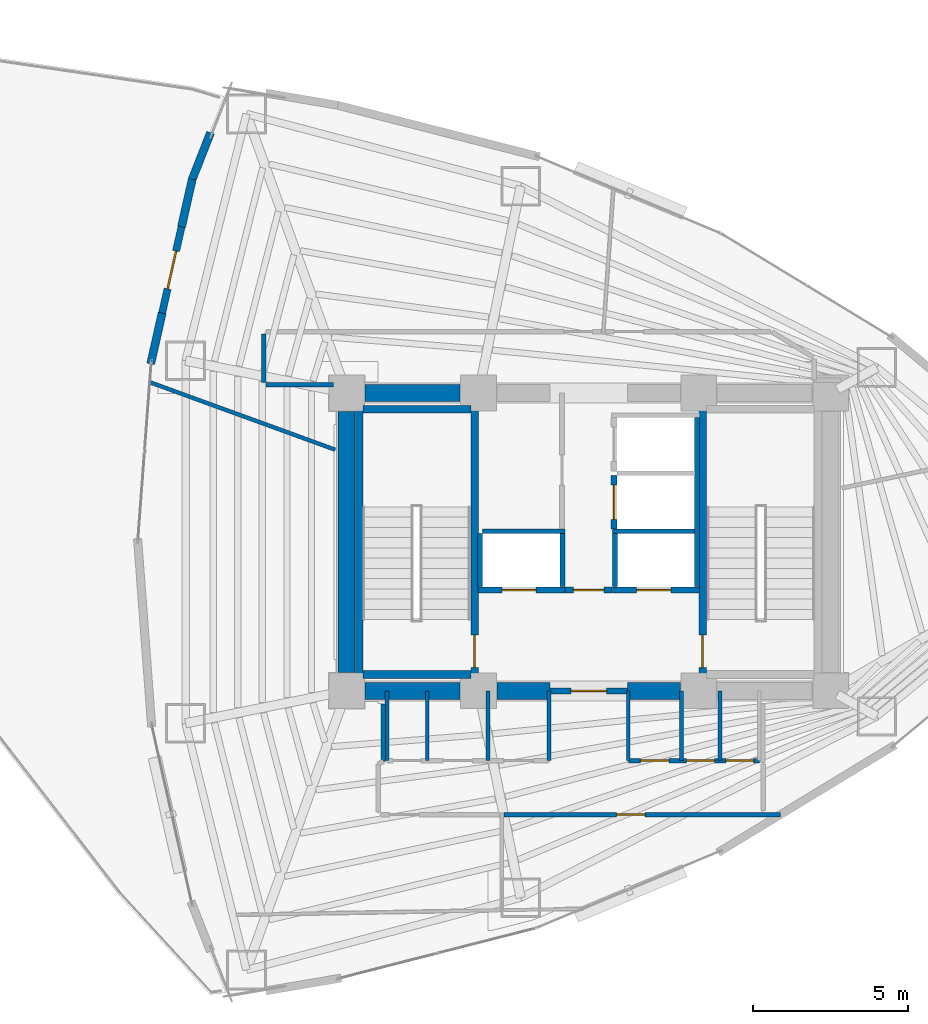
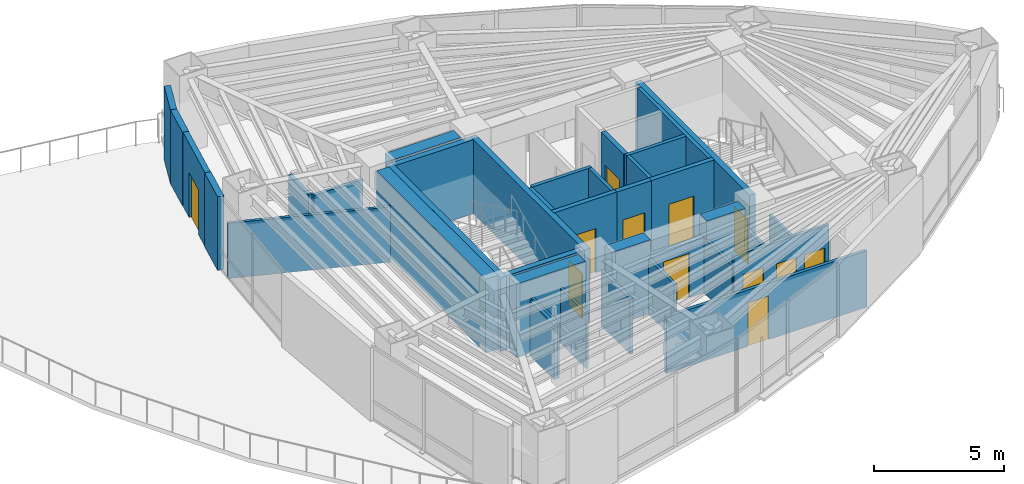
# One storey, part 15 of 19: 38 walls, 12 doors, 12 openings.
"""IFC4 building model written with IfcOpenShell, lengths in metres."""

from ifc_helpers import new_model, si_unit, direction, frame, frame_2d, origin, place, context, subcontext, project, spatial, rectangle, extrude, material, layer, layer_set, type_object, element, fill, save


model = new_model("IFC4")

# Units and contexts
model_context = context("Model", 3, precision=1e-05, world=origin(), true_north=direction((0.0, 1.0)))
body_context = subcontext(model_context, "Body", "Model", "MODEL_VIEW")
ifc_project = project(units=[si_unit("LENGTHUNIT", "METRE"), si_unit("AREAUNIT", "SQUARE_METRE"), si_unit("VOLUMEUNIT", "CUBIC_METRE"), si_unit("PLANEANGLEUNIT", "RADIAN"), si_unit("MASSUNIT", "GRAM", prefix="KILO")], contexts=[model_context])

# Site, building, storey
site_placement = place(None, origin())
site = spatial("IfcSite", under=ifc_project, at=site_placement, CompositionType="ELEMENT")
building_placement = place(site_placement, origin())
building = spatial("IfcBuilding", under=site, at=building_placement, Name="Menara Vayukalpa", CompositionType="ELEMENT")
storey_placement = place(building_placement, frame((0.0, 0.0, 118.860107421875)))
storey = spatial("IfcBuildingStorey", under=building, at=storey_placement, Name="L29", CompositionType="ELEMENT", Elevation=118.860107421875)

# Walls
ifc_material_1 = material(Name="Concrete C60/75", Category="concrete")
ifc_layer_1 = layer(ifc_material_1, 0.550048828125)
ifc_layer_set_1 = layer_set([ifc_layer_1], Name="Concrete C60/75")
wall_type_1 = type_object("IfcWallType", Name="WAL-CW550", PredefinedType="SHEAR", material=ifc_layer_set_1)
wall_1_placement = place(storey_placement, frame((18.39501953125, 17.199951171875, 0.0), z_axis=(0.0, 0.0, 1.0), x_axis=(1.0, 0.0, 0.0)))
element("IfcWall", 1, at=wall_1_placement, inside=storey, type_object=wall_type_1, Name="L29 Buttressed Core Shear Wall CWS1", PredefinedType="SHEAR", context=body_context, shape_type="SweptSolid", body=[
    extrude(rectangle(XDim=3.06005859375, YDim=0.550048828125, at=frame_2d((1.530029296875, 0.0))), origin(), (0.0, 0.0, 1.0), 3.469970703125),
])
wall_2_placement = place(storey_placement, frame((22.64501953125, 17.199951171875, 0.0), z_axis=(0.0, 0.0, 1.0), x_axis=(1.0, 0.0, 0.0)))
element("IfcWall", 2, at=wall_2_placement, inside=storey, type_object=wall_type_1, Name="L29 Buttressed Core Shear Wall CWS2", PredefinedType="SHEAR", context=body_context, shape_type="SweptSolid", body=[
    extrude(rectangle(XDim=1.705078125, YDim=0.550048828125, at=frame_2d((0.8525390625, 0.0))), origin(), (0.0, 0.0, 1.0), 3.469970703125),
])
wall_3_placement = place(storey_placement, frame((26.85009765625, 17.199951171875, 0.0), z_axis=(0.0, 0.0, 1.0), x_axis=(1.0, 0.0, 0.0)))
element("IfcWall", 3, at=wall_3_placement, inside=storey, type_object=wall_type_1, Name="L29 Buttressed Core Shear Wall CWS3", PredefinedType="SHEAR", context=body_context, shape_type="SweptSolid", body=[
    extrude(rectangle(XDim=1.704833984375, YDim=0.550048828125, at=frame_2d((0.8525390625, 0.0))), origin(), (0.0, 0.0, 1.0), 3.469970703125),
])
wall_4_placement = place(storey_placement, frame((18.39501953125, 26.800048828125, 0.0), z_axis=(0.0, 0.0, 1.0), x_axis=(1.0, 0.0, 0.0)))
element("IfcWall", 4, at=wall_4_placement, inside=storey, type_object=wall_type_1, Name="L29 Buttressed Core Shear Wall CWN1", PredefinedType="SHEAR", context=body_context, shape_type="SweptSolid", body=[
    extrude(rectangle(XDim=3.06005859375, YDim=0.550048828125, at=frame_2d((1.530029296875, 0.0))), origin(), (0.0, 0.0, 1.0), 3.469970703125),
])
wall_5_placement = place(storey_placement, frame((17.800048828125, 17.794921875, 0.0), z_axis=(0.0, 0.0, 1.0), x_axis=(0.0, 1.0, 0.0)))
element("IfcWall", 5, at=wall_5_placement, inside=storey, type_object=wall_type_1, Name="L29 Buttressed Core Shear Wall CWW1", PredefinedType="SHEAR", context=body_context, shape_type="SweptSolid", body=[
    extrude(rectangle(XDim=8.41015625, YDim=0.550048828125, at=frame_2d((4.205078125, 0.0))), origin(), (0.0, 0.0, 1.0), 3.469970703125),
])

# Wall, opening, door
ifc_material_2 = material(Name="Insulated Precast Concrete C40/50", Category="concrete")
ifc_layer_2 = layer(ifc_material_2, 0.22998046875)
ifc_layer_set_2 = layer_set([ifc_layer_2], Name="Insulated Precast Concrete C40/50")
wall_type_2 = type_object("IfcWallType", Name="WAL-EXT230", PredefinedType="PARTITIONING", material=ifc_layer_set_2)
wall_6_placement = place(storey_placement, frame((11.84912109375, 29.36767578125, 0.0), z_axis=(0.0, 0.0, 1.0), x_axis=(0.219504103435, 0.975611576692, 0.0)))
wall_6 = element("IfcWall", 6, at=wall_6_placement, inside=storey, type_object=wall_type_2, Name="L29 Sky Terrace Access Wall", PredefinedType="PARTITIONING", context=body_context, shape_type="SweptSolid", body=[
    extrude(rectangle(XDim=2.871826171875, YDim=0.22998046875, at=frame_2d((1.43603515625, 0.0))), origin(), (0.0, 0.0, 1.0), 3.469970703125),
])
opening_1_placement = place(wall_6_placement, frame((0.81103515625, 0.0, 0.0)))
opening_1 = element("IfcOpeningElement", 7, at=opening_1_placement, cuts=wall_6, Name="Opening ED3", PredefinedType="OPENING", context=body_context, shape_type="SweptSolid", body=[
    extrude(rectangle(XDim=1.25, YDim=2.10009765625, at=frame_2d((0.625, 1.050048828125))), frame((0.0, 0.125, 0.0), z_axis=(0.0, -1.0, 0.0), x_axis=(1.0, 0.0, 0.0)), (0.0, 0.0, 1.0), 0.25),
])
ifc_material_3 = material(Name="Thermally Broken Aluminium Terrace Door", Category="aluminium")
door_type_1 = type_object("IfcDoorType", Name="DR-EX125", OperationType="NOTDEFINED", PredefinedType="DOOR", material=ifc_material_3)
door_1_placement = place(opening_1_placement, origin())
door_1 = element("IfcDoor", 8, at=door_1_placement, inside=storey, type_object=door_type_1, Name="L29 Outdoor Sky Terrace Access Door", OperationType="SINGLE_SWING_RIGHT", OverallHeight=2.10009765625, OverallWidth=1.25, PredefinedType="DOOR", context=body_context, shape_type="SweptSolid", body=[
    extrude(rectangle(XDim=1.25, YDim=2.10009765625, at=frame_2d((0.625, 1.050048828125))), frame((0.0, 0.02490234375, 0.0), z_axis=(0.0, -1.0, 0.0), x_axis=(1.0, 0.0, 0.0)), (0.0, 0.0, 1.0), 0.050048828125),
])
fill(opening_1, door_1)

# Walls
ifc_material_4 = material(Name="Insulated Precast Concrete C40/50", Category="concrete")
ifc_layer_3 = layer(ifc_material_4, 0.260009765625)
ifc_layer_set_3 = layer_set([ifc_layer_3], Name="Insulated Precast Concrete C40/50")
wall_type_3 = type_object("IfcWallType", Name="WAL-EXT260", PredefinedType="PARTITIONING", material=ifc_layer_set_3)
wall_7_placement = place(storey_placement, frame((12.822021484375, 33.69140625, 0.0), z_axis=(0.0, 0.0, 1.0), x_axis=(0.365488551504, 0.930815835018, 0.0)))
element("IfcWall", 9, at=wall_7_placement, inside=storey, type_object=wall_type_3, Name="L29 Perimeter Terracotta Pier Wall 08", PredefinedType="PARTITIONING", context=body_context, shape_type="SweptSolid", body=[
    extrude(rectangle(XDim=1.61376953125, YDim=0.260009765625, at=frame_2d((0.806884765625, 0.0))), origin(), (0.0, 0.0, 1.0), 3.469970703125),
])
wall_8_placement = place(storey_placement, frame((12.476806640625, 32.15771484375, 0.0), z_axis=(0.0, 0.0, 1.0), x_axis=(0.219593493325, 0.975591460443, 0.0)))
element("IfcWall", 10, at=wall_8_placement, inside=storey, type_object=wall_type_3, Name="L29 Perimeter Terracotta Pier Wall 09", PredefinedType="PARTITIONING", context=body_context, shape_type="SweptSolid", body=[
    extrude(rectangle(XDim=1.572021484375, YDim=0.260009765625, at=frame_2d((0.7861328125, 0.0))), origin(), (0.0, 0.0, 1.0), 3.469970703125),
])
wall_9_placement = place(storey_placement, frame((11.482421875, 27.73828125, 0.0), z_axis=(0.0, 0.0, 1.0), x_axis=(0.219588171952, 0.975592658203, 0.0)))
element("IfcWall", 11, at=wall_9_placement, inside=storey, type_object=wall_type_3, Name="L29 Perimeter Terracotta Pier Wall 10", PredefinedType="PARTITIONING", context=body_context, shape_type="SweptSolid", body=[
    extrude(rectangle(XDim=1.68212890625, YDim=0.260009765625, at=frame_2d((0.841064453125, 0.0))), origin(), (0.0, 0.0, 1.0), 3.469970703125),
])
ifc_material_5 = material(Name="Lightweight Concrete Blockwork C16/20", Category="masonry")
ifc_layer_4 = layer(ifc_material_5, 0.159912109375)
ifc_layer_set_4 = layer_set([ifc_layer_4], Name="Lightweight Concrete Blockwork C16/20")
wall_type_4 = type_object("IfcWallType", Name="WAL-FR150", PredefinedType="PARTITIONING", material=ifc_layer_set_4)
for number, where, z_axis, x_axis, name in (
    (12, (22.10498046875, 20.56005859375, 0.0), (0.0, 0.0, 1.0), (0.0, 1.0, 0.0), "L29 Interior Partition IW-L29-SHW-WW"),
    (13, (24.7548828125, 20.56005859375, 0.0), (0.0, 0.0, 1.0), (0.0, 1.0, 0.0), "L29 Interior Partition IW-L29-SHW-W1E"),
):
    element("IfcWall", number, at=place(storey_placement, frame(where, z_axis=z_axis, x_axis=x_axis)), inside=storey, type_object=wall_type_4, Name=name, PredefinedType="PARTITIONING", context=body_context, shape_type="SweptSolid", body=[
        extrude(rectangle(XDim=1.7099609375, YDim=0.159912109375, at=frame_2d((0.85498046875, 0.0))), origin(), (0.0, 0.0, 1.0), 3.469970703125),
    ])
wall_10_placement = place(storey_placement, frame((22.179931640625, 22.344970703125, 0.0), z_axis=(0.0, 0.0, 1.0), x_axis=(1.0, 0.0, 0.0)))
element("IfcWall", 14, at=wall_10_placement, inside=storey, type_object=wall_type_4, Name="L29 Interior Partition IW-L29-SHM-W12", PredefinedType="PARTITIONING", context=body_context, shape_type="SweptSolid", body=[
    extrude(rectangle(XDim=2.650146484375, YDim=0.159912109375, at=frame_2d((1.3251953125, 0.0))), origin(), (0.0, 0.0, 1.0), 3.469970703125),
])
wall_11_placement = place(storey_placement, frame((29.094970703125, 20.56005859375, 0.0), z_axis=(0.0, 0.0, 1.0), x_axis=(0.0, 1.0, 0.0)))
element("IfcWall", 15, at=wall_11_placement, inside=storey, type_object=wall_type_4, Name="L29 Interior Partition IW-L29-SHW-EE", PredefinedType="PARTITIONING", context=body_context, shape_type="SweptSolid", body=[
    extrude(rectangle(XDim=5.449951171875, YDim=0.159912109375, at=frame_2d((2.72509765625, 0.0))), origin(), (0.0, 0.0, 1.0), 3.469970703125),
])
wall_12_placement = place(storey_placement, frame((26.445068359375, 20.56005859375, 0.0), z_axis=(0.0, 0.0, 1.0), x_axis=(0.0, 1.0, 0.0)))
element("IfcWall", 16, at=wall_12_placement, inside=storey, type_object=wall_type_4, Name="L29 Interior Partition IW-L29-SHW-E1W", PredefinedType="PARTITIONING", context=body_context, shape_type="SweptSolid", body=[
    extrude(rectangle(XDim=1.7099609375, YDim=0.159912109375, at=frame_2d((0.85498046875, 0.0))), origin(), (0.0, 0.0, 1.0), 3.469970703125),
])
wall_13_placement = place(storey_placement, frame((26.3701171875, 22.344970703125, 0.0), z_axis=(0.0, 0.0, 1.0), x_axis=(1.0, 0.0, 0.0)))
element("IfcWall", 17, at=wall_13_placement, inside=storey, type_object=wall_type_4, Name="L29 Interior Partition IW-L29-SHM-E13", PredefinedType="PARTITIONING", context=body_context, shape_type="SweptSolid", body=[
    extrude(rectangle(XDim=2.64990234375, YDim=0.159912109375, at=frame_2d((1.324951171875, 0.0))), origin(), (0.0, 0.0, 1.0), 3.469970703125),
])

# Wall, opening, door
ifc_material_6 = material(Name="Lightweight Concrete Blockwork C16/20", Category="masonry")
ifc_layer_5 = layer(ifc_material_6, 0.199951171875)
ifc_layer_set_5 = layer_set([ifc_layer_5], Name="Lightweight Concrete Blockwork C16/20")
wall_type_5 = type_object("IfcWallType", Name="WAL-FR200", PredefinedType="PARTITIONING", material=ifc_layer_set_5)
wall_14_placement = place(storey_placement, frame((24.35009765625, 17.199951171875, 0.0), z_axis=(0.0, 0.0, 1.0), x_axis=(1.0, 0.0, 0.0)))
wall_14 = element("IfcWall", 18, at=wall_14_placement, inside=storey, type_object=wall_type_5, Name="L29 Interior Partition IW-L29-FFLS", PredefinedType="PARTITIONING", context=body_context, shape_type="SweptSolid", body=[
    extrude(rectangle(XDim=2.5, YDim=0.199951171875, at=frame_2d((1.25, 0.0))), origin(), (0.0, 0.0, 1.0), 2.599853515625),
])
opening_2_placement = place(wall_14_placement, frame((0.679931640625, 0.0, 0.0)))
opening_2 = element("IfcOpeningElement", 19, at=opening_2_placement, cuts=wall_14, Name="Opening ID2", PredefinedType="OPENING", context=body_context, shape_type="SweptSolid", body=[
    extrude(rectangle(XDim=1.14990234375, YDim=2.080078125, at=frame_2d((0.574951171875, 1.0400390625))), frame((0.0, 0.10986328125, 0.0), z_axis=(0.0, -1.0, 0.0), x_axis=(1.0, 0.0, 0.0)), (0.0, 0.0, 1.0), 0.219970703125),
])
ifc_material_7 = material(Name="Fire-Rated Powder-Coated Steel Door", Category="steel")
door_type_2 = type_object("IfcDoorType", Name="DR-FD60W", OperationType="NOTDEFINED", PredefinedType="DOOR", material=ifc_material_7)
door_2_placement = place(opening_2_placement, origin())
door_2 = element("IfcDoor", 20, at=door_2_placement, inside=storey, type_object=door_type_2, Name="L29 Interior Door DR-L29-FFLS", OperationType="SINGLE_SWING_RIGHT", OverallHeight=2.080078125, OverallWidth=1.14990234375, PredefinedType="DOOR", context=body_context, shape_type="SweptSolid", body=[
    extrude(rectangle(XDim=1.14990234375, YDim=2.080078125, at=frame_2d((0.574951171875, 1.0400390625))), frame((0.0, 0.02490234375, 0.0), z_axis=(0.0, -1.0, 0.0), x_axis=(1.0, 0.0, 0.0)), (0.0, 0.0, 1.0), 0.050048828125),
])
fill(opening_2, door_2)

wall_15_placement = place(storey_placement, frame((24.840087890625, 20.449951171875, 0.0), z_axis=(0.0, 0.0, 1.0), x_axis=(1.0, 0.0, 0.0)))
wall_15 = element("IfcWall", 21, at=wall_15_placement, inside=storey, type_object=wall_type_5, Name="L29 Interior Partition IW-L29-FFLN", PredefinedType="PARTITIONING", context=body_context, shape_type="SweptSolid", body=[
    extrude(rectangle(XDim=1.52001953125, YDim=0.199951171875, at=frame_2d((0.760009765625, 0.0))), origin(), (0.0, 0.0, 1.0), 3.469970703125),
])
opening_3_placement = place(wall_15_placement, frame((0.27001953125, 0.0, 0.0)))
opening_3 = element("IfcOpeningElement", 22, at=opening_3_placement, cuts=wall_15, Name="Opening ID3", PredefinedType="OPENING", context=body_context, shape_type="SweptSolid", body=[
    extrude(rectangle(XDim=0.97998046875, YDim=2.06005859375, at=frame_2d((0.489990234375, 1.030029296875))), frame((0.0, 0.10986328125, 0.0), z_axis=(0.0, -1.0, 0.0), x_axis=(1.0, 0.0, 0.0)), (0.0, 0.0, 1.0), 0.219970703125),
])
ifc_material_8 = material(Name="Fire-Rated Powder-Coated Steel Door", Category="steel")
door_type_3 = type_object("IfcDoorType", Name="DR-FD60", OperationType="NOTDEFINED", PredefinedType="DOOR", material=ifc_material_8)
door_3_placement = place(opening_3_placement, origin())
door_3 = element("IfcDoor", 23, at=door_3_placement, inside=storey, type_object=door_type_3, Name="L29 Interior Door DR-L29-FFLN", OperationType="SINGLE_SWING_LEFT", OverallHeight=2.06005859375, OverallWidth=0.97998046875, PredefinedType="DOOR", context=body_context, shape_type="SweptSolid", body=[
    extrude(rectangle(XDim=0.97998046875, YDim=2.06005859375, at=frame_2d((0.489990234375, 1.030029296875))), frame((0.0, 0.02490234375, 0.0), z_axis=(0.0, -1.0, 0.0), x_axis=(1.0, 0.0, 0.0)), (0.0, 0.0, 1.0), 0.050048828125),
])
fill(opening_3, door_3)

wall_16_placement = place(storey_placement, frame((22.030029296875, 20.449951171875, 0.0), z_axis=(0.0, 0.0, 1.0), x_axis=(1.0, 0.0, 0.0)))
wall_16 = element("IfcWall", 24, at=wall_16_placement, inside=storey, type_object=wall_type_5, Name="L29 Interior Partition IW-L29-SH-W1", PredefinedType="PARTITIONING", context=body_context, shape_type="SweptSolid", body=[
    extrude(rectangle(XDim=2.800048828125, YDim=0.199951171875, at=frame_2d((1.39990234375, 0.0))), origin(), (0.0, 0.0, 1.0), 3.469970703125),
])
opening_4_placement = place(wall_16_placement, frame((0.780029296875, 0.0, 0.0)))
opening_4 = element("IfcOpeningElement", 25, at=opening_4_placement, cuts=wall_16, Name="Opening LD1", PredefinedType="OPENING", context=body_context, shape_type="SweptSolid", body=[
    extrude(rectangle(XDim=1.10009765625, YDim=2.080078125, at=frame_2d((0.550048828125, 1.0400390625))), frame((0.0, 0.10986328125, 0.0), z_axis=(0.0, -1.0, 0.0), x_axis=(1.0, 0.0, 0.0)), (0.0, 0.0, 1.0), 0.219970703125),
])
ifc_material_9 = material(Name="Brushed Stainless Steel 316 Lift Door", Category="steel")
door_type_4 = type_object("IfcDoorType", Name="DR-LD110", OperationType="NOTDEFINED", PredefinedType="DOOR", material=ifc_material_9)
door_4_placement = place(opening_4_placement, origin())
door_4 = element("IfcDoor", 26, at=door_4_placement, inside=storey, type_object=door_type_4, Name="L29 Interior Door DR-L29-LD-W1", OperationType="DOUBLE_DOOR_SLIDING", OverallHeight=2.080078125, OverallWidth=1.10009765625, PredefinedType="DOOR", context=body_context, shape_type="SweptSolid", body=[
    extrude(rectangle(XDim=1.10009765625, YDim=2.080078125, at=frame_2d((0.550048828125, 1.0400390625))), frame((0.0, 0.02490234375, 0.0), z_axis=(0.0, -1.0, 0.0), x_axis=(1.0, 0.0, 0.0)), (0.0, 0.0, 1.0), 0.050048828125),
])
fill(opening_4, door_4)

wall_17_placement = place(storey_placement, frame((26.3701171875, 20.449951171875, 0.0), z_axis=(0.0, 0.0, 1.0), x_axis=(1.0, 0.0, 0.0)))
wall_17 = element("IfcWall", 27, at=wall_17_placement, inside=storey, type_object=wall_type_5, Name="L29 Interior Partition IW-L29-SH-E1", PredefinedType="PARTITIONING", context=body_context, shape_type="SweptSolid", body=[
    extrude(rectangle(XDim=2.7998046875, YDim=0.199951171875, at=frame_2d((1.39990234375, 0.0))), origin(), (0.0, 0.0, 1.0), 3.469970703125),
])
opening_5_placement = place(wall_17_placement, frame((0.780029296875, 0.0, 0.0)))
opening_5 = element("IfcOpeningElement", 28, at=opening_5_placement, cuts=wall_17, Name="Opening LD1", PredefinedType="OPENING", context=body_context, shape_type="SweptSolid", body=[
    extrude(rectangle(XDim=1.10009765625, YDim=2.080078125, at=frame_2d((0.550048828125, 1.0400390625))), frame((0.0, 0.10986328125, 0.0), z_axis=(0.0, -1.0, 0.0), x_axis=(1.0, 0.0, 0.0)), (0.0, 0.0, 1.0), 0.219970703125),
])
door_5_placement = place(opening_5_placement, origin())
door_5 = element("IfcDoor", 29, at=door_5_placement, inside=storey, type_object=door_type_4, Name="L29 Interior Door DR-L29-LD-E1", OperationType="DOUBLE_DOOR_SLIDING", OverallHeight=2.080078125, OverallWidth=1.10009765625, PredefinedType="DOOR", context=body_context, shape_type="SweptSolid", body=[
    extrude(rectangle(XDim=1.10009765625, YDim=2.080078125, at=frame_2d((0.550048828125, 1.0400390625))), frame((0.0, 0.02490234375, 0.0), z_axis=(0.0, -1.0, 0.0), x_axis=(1.0, 0.0, 0.0)), (0.0, 0.0, 1.0), 0.050048828125),
])
fill(opening_5, door_5)

wall_18_placement = place(storey_placement, frame((26.419921875, 22.419921875, 0.0), z_axis=(0.0, 0.0, 1.0), x_axis=(0.0, 1.0, 0.0)))
wall_18 = element("IfcWall", 30, at=wall_18_placement, inside=storey, type_object=wall_type_5, Name="L29 Interior Partition IW-L29-SH-E3", PredefinedType="PARTITIONING", context=body_context, shape_type="SweptSolid", body=[
    extrude(rectangle(XDim=1.719970703125, YDim=0.199951171875, at=frame_2d((0.85986328125, 0.0))), origin(), (0.0, 0.0, 1.0), 3.469970703125),
])
opening_6_placement = place(wall_18_placement, frame((0.31005859375, 0.0, 0.0)))
opening_6 = element("IfcOpeningElement", 31, at=opening_6_placement, cuts=wall_18, Name="Opening LD1", PredefinedType="OPENING", context=body_context, shape_type="SweptSolid", body=[
    extrude(rectangle(XDim=1.10009765625, YDim=2.080078125, at=frame_2d((0.550048828125, 1.0400390625))), frame((0.0, 0.10986328125, 0.0), z_axis=(0.0, -1.0, 0.0), x_axis=(1.0, 0.0, 0.0)), (0.0, 0.0, 1.0), 0.219970703125),
])
door_6_placement = place(opening_6_placement, origin())
door_6 = element("IfcDoor", 32, at=door_6_placement, inside=storey, type_object=door_type_4, Name="L29 Interior Door DR-L29-LD-E3", OperationType="DOUBLE_DOOR_SLIDING", OverallHeight=2.080078125, OverallWidth=1.10009765625, PredefinedType="DOOR", context=body_context, shape_type="SweptSolid", body=[
    extrude(rectangle(XDim=1.10009765625, YDim=2.080078125, at=frame_2d((0.550048828125, 1.0400390625))), frame((0.0, 0.02490234375, 0.0), z_axis=(0.0, -1.0, 0.0), x_axis=(1.0, 0.0, 0.0)), (0.0, 0.0, 1.0), 0.050048828125),
])
fill(opening_6, door_6)

# Walls
ifc_material_10 = material(Name="Acoustic Mineral Stud Partition", Category="masonry")
ifc_layer_6 = layer(ifc_material_10, 0.110107421875)
ifc_layer_set_6 = layer_set([ifc_layer_6], Name="Acoustic Mineral Stud Partition")
wall_type_6 = type_object("IfcWallType", Name="WAL-PT110", PredefinedType="PARTITIONING", material=ifc_layer_set_6)
for number, where, z_axis, x_axis, name in (
    (33, (20.39990234375, 14.949951171875, 0.0), (0.0, 0.0, 1.0), (0.0, 1.0, 0.0), "L29 Interior Partition IW-L29-SVCD-02"),
    (34, (26.8798828125, 14.949951171875, 0.0), (0.0, 0.0, 1.0), (0.0, 1.0, 0.0), "L29 Interior Partition IW-L29-SVCD-05"),
):
    element("IfcWall", number, at=place(storey_placement, frame(where, z_axis=z_axis, x_axis=x_axis)), inside=storey, type_object=wall_type_6, Name=name, PredefinedType="PARTITIONING", context=body_context, shape_type="SweptSolid", body=[
        extrude(rectangle(XDim=2.25, YDim=0.110107421875, at=frame_2d((1.125, 0.0))), origin(), (0.0, 0.0, 1.0), 2.599853515625),
    ])
ifc_material_11 = material(Name="Gypsum Drywall Steel Stud Assembly", Category="steel")
ifc_layer_7 = layer(ifc_material_11, 0.125)
ifc_layer_set_7 = layer_set([ifc_layer_7], Name="Gypsum Drywall Steel Stud Assembly")
wall_type_7 = type_object("IfcWallType", Name="WAL-PT125", PredefinedType="PARTITIONING", material=ifc_layer_set_7)
for number, where, z_axis, x_axis, name in (
    (35, (19.10009765625, 14.949951171875, 0.0), (0.0, 0.0, 1.0), (0.0, 1.0, 0.0), "L29 Interior Partition IW-L29-SVCD-01"),
    (36, (22.360107421875, 14.949951171875, 0.0), (0.0, 0.0, 1.0), (0.0, 1.0, 0.0), "L29 Interior Partition IW-L29-SVCD-03"),
    (37, (24.320068359375, 14.949951171875, 0.0), (0.0, 0.0, 1.0), (0.0, 1.0, 0.0), "L29 Interior Partition IW-L29-SVCD-04"),
    (38, (28.590087890625, 14.949951171875, 0.0), (0.0, 0.0, 1.0), (0.0, 1.0, 0.0), "L29 Interior Partition IW-L29-SVCD-06"),
    (39, (29.830078125, 14.949951171875, 0.0), (0.0, 0.0, 1.0), (0.0, 1.0, 0.0), "L29 Interior Partition IW-L29-SVCD-07"),
):
    element("IfcWall", number, at=place(storey_placement, frame(where, z_axis=z_axis, x_axis=x_axis)), inside=storey, type_object=wall_type_7, Name=name, PredefinedType="PARTITIONING", context=body_context, shape_type="SweptSolid", body=[
        extrude(rectangle(XDim=2.25, YDim=0.125, at=frame_2d((1.125, 0.0))), origin(), (0.0, 0.0, 1.0), 2.599853515625),
    ])
wall_19_placement = place(storey_placement, frame((17.429931640625, 24.9736328125, 0.0), z_axis=(0.0, 0.0, 1.0), x_axis=(-0.939693782006, 0.342016952882, 0.0)))
element("IfcWall", 40, at=wall_19_placement, inside=storey, type_object=wall_type_7, Name="L29 Interior Partition IW-L29-RDIV03", PredefinedType="PARTITIONING", context=body_context, shape_type="SweptSolid", body=[
    extrude(rectangle(XDim=6.369384765625, YDim=0.125, at=frame_2d((3.1845703125, 0.0))), origin(), (0.0, 0.0, 1.0), 2.599853515625),
])

# Wall, openings, doors
ifc_material_12 = material(Name="Gypsum Drywall Acoustic Stud Assembly", Category="masonry")
ifc_layer_8 = layer(ifc_material_12, 0.14501953125)
ifc_layer_set_8 = layer_set([ifc_layer_8], Name="Gypsum Drywall Acoustic Stud Assembly")
wall_type_8 = type_object("IfcWallType", Name="WAL-PT150", PredefinedType="PARTITIONING", material=ifc_layer_set_8)
wall_20_placement = place(storey_placement, frame((26.8798828125, 14.949951171875, 0.0), z_axis=(0.0, 0.0, 1.0), x_axis=(1.0, 0.0, 0.0)))
wall_20 = element("IfcWall", 41, at=wall_20_placement, inside=storey, type_object=wall_type_8, Name="L29 Interior Partition IW-L29-SVCS-E", PredefinedType="PARTITIONING", context=body_context, shape_type="SweptSolid", body=[
    extrude(rectangle(XDim=4.22021484375, YDim=0.14501953125, at=frame_2d((2.110107421875, 0.0))), origin(), (0.0, 0.0, 1.0), 3.0498046875),
])
opening_7_placement = place(wall_20_placement, frame((0.389892578125, 0.0, 0.0)))
opening_7 = element("IfcOpeningElement", 42, at=opening_7_placement, cuts=wall_20, Name="Opening ID6", PredefinedType="OPENING", context=body_context, shape_type="SweptSolid", body=[
    extrude(rectangle(XDim=0.919921875, YDim=2.050048828125, at=frame_2d((0.4599609375, 1.02490234375))), frame((0.0, 0.08251953125, 0.0), z_axis=(0.0, -1.0, 0.0), x_axis=(1.0, 0.0, 0.0)), (0.0, 0.0, 1.0), 0.1650390625),
])
opening_8_placement = place(wall_20_placement, frame((1.8798828125, 0.0, 0.0)))
opening_8 = element("IfcOpeningElement", 43, at=opening_8_placement, cuts=wall_20, Name="Opening ID7", PredefinedType="OPENING", context=body_context, shape_type="SweptSolid", body=[
    extrude(rectangle(XDim=0.89990234375, YDim=2.02001953125, at=frame_2d((0.449951171875, 1.010009765625))), frame((0.0, 0.08251953125, 0.0), z_axis=(0.0, -1.0, 0.0), x_axis=(1.0, 0.0, 0.0)), (0.0, 0.0, 1.0), 0.1650390625),
])
opening_9_placement = place(wall_20_placement, frame((3.139892578125, 0.0, 0.0)))
opening_9 = element("IfcOpeningElement", 44, at=opening_9_placement, cuts=wall_20, Name="Opening ID7", PredefinedType="OPENING", context=body_context, shape_type="SweptSolid", body=[
    extrude(rectangle(XDim=0.89990234375, YDim=2.02001953125, at=frame_2d((0.449951171875, 1.010009765625))), frame((0.0, 0.08251953125, 0.0), z_axis=(0.0, -1.0, 0.0), x_axis=(1.0, 0.0, 0.0)), (0.0, 0.0, 1.0), 0.1650390625),
])
ifc_material_13 = material(Name="Acoustic Hardwood Veneer Timber Door", Category="wood")
door_type_5 = type_object("IfcDoorType", Name="DR-INT92", OperationType="NOTDEFINED", PredefinedType="DOOR", material=ifc_material_13)
door_7_placement = place(opening_7_placement, origin())
door_7 = element("IfcDoor", 45, at=door_7_placement, inside=storey, type_object=door_type_5, Name="L29 Interior Door DR-L29-KSV1", OperationType="SINGLE_SWING_RIGHT", OverallHeight=2.050048828125, OverallWidth=0.919921875, PredefinedType="DOOR", context=body_context, shape_type="SweptSolid", body=[
    extrude(rectangle(XDim=0.919921875, YDim=2.050048828125, at=frame_2d((0.4599609375, 1.02490234375))), frame((0.0, 0.02490234375, 0.0), z_axis=(0.0, -1.0, 0.0), x_axis=(1.0, 0.0, 0.0)), (0.0, 0.0, 1.0), 0.050048828125),
])
fill(opening_7, door_7)
ifc_material_14 = material(Name="Powder-Coated Steel Riser Access Door", Category="steel")
door_type_6 = type_object("IfcDoorType", Name="DR-RISER", OperationType="NOTDEFINED", PredefinedType="DOOR", material=ifc_material_14)
door_8_placement = place(opening_8_placement, origin())
door_8 = element("IfcDoor", 46, at=door_8_placement, inside=storey, type_object=door_type_6, Name="L29 Interior Door DR-L29-KSV2", OperationType="SINGLE_SWING_LEFT", OverallHeight=2.02001953125, OverallWidth=0.89990234375, PredefinedType="DOOR", context=body_context, shape_type="SweptSolid", body=[
    extrude(rectangle(XDim=0.89990234375, YDim=2.02001953125, at=frame_2d((0.449951171875, 1.010009765625))), frame((0.0, 0.02490234375, 0.0), z_axis=(0.0, -1.0, 0.0), x_axis=(1.0, 0.0, 0.0)), (0.0, 0.0, 1.0), 0.050048828125),
])
fill(opening_8, door_8)
door_9_placement = place(opening_9_placement, origin())
door_9 = element("IfcDoor", 47, at=door_9_placement, inside=storey, type_object=door_type_6, Name="L29 Interior Door DR-L29-SMD", OperationType="SINGLE_SWING_RIGHT", OverallHeight=2.02001953125, OverallWidth=0.89990234375, PredefinedType="DOOR", context=body_context, shape_type="SweptSolid", body=[
    extrude(rectangle(XDim=0.89990234375, YDim=2.02001953125, at=frame_2d((0.449951171875, 1.010009765625))), frame((0.0, 0.02490234375, 0.0), z_axis=(0.0, -1.0, 0.0), x_axis=(1.0, 0.0, 0.0)), (0.0, 0.0, 1.0), 0.050048828125),
])
fill(opening_9, door_9)

# Wall
wall_21_placement = place(storey_placement, frame((18.97998046875, 16.780029296875, 0.0), z_axis=(0.0, 0.0, 1.0), x_axis=(0.0, -1.0, 0.0)))
element("IfcWall", 48, at=wall_21_placement, inside=storey, type_object=wall_type_8, Name="L29 Interior Partition IW-L29-CRM01-1", PredefinedType="PARTITIONING", context=body_context, shape_type="SweptSolid", body=[
    extrude(rectangle(XDim=1.85009765625, YDim=0.14501953125, at=frame_2d((0.925048828125, 0.0))), origin(), (0.0, 0.0, 1.0), 2.599853515625),
])

# Wall, opening, door
wall_22_placement = place(storey_placement, frame((22.8701171875, 13.2099609375, 0.0), z_axis=(0.0, 0.0, 1.0), x_axis=(1.0, 0.0, 0.0)))
wall_22 = element("IfcWall", 49, at=wall_22_placement, inside=storey, type_object=wall_type_8, Name="L29 Interior Partition IW-L29-CRM02-1", PredefinedType="PARTITIONING", context=body_context, shape_type="SweptSolid", body=[
    extrude(rectangle(XDim=8.913818359375, YDim=0.14501953125, at=frame_2d((4.45703125, 0.0))), origin(), (0.0, 0.0, 1.0), 2.64990234375),
])
opening_10_placement = place(wall_22_placement, frame((3.62939453125, 0.0, 0.0)))
opening_10 = element("IfcOpeningElement", 50, at=opening_10_placement, cuts=wall_22, Name="Opening ID6", PredefinedType="OPENING", context=body_context, shape_type="SweptSolid", body=[
    extrude(rectangle(XDim=0.919921875, YDim=2.050048828125, at=frame_2d((0.4599609375, 1.02490234375))), frame((0.0, 0.08251953125, 0.0), z_axis=(0.0, -1.0, 0.0), x_axis=(1.0, 0.0, 0.0)), (0.0, 0.0, 1.0), 0.1650390625),
])
door_10_placement = place(opening_10_placement, origin())
door_10 = element("IfcDoor", 51, at=door_10_placement, inside=storey, type_object=door_type_5, Name="L29 Interior Door DR-L29-RM02", OperationType="SINGLE_SWING_RIGHT", OverallHeight=2.050048828125, OverallWidth=0.919921875, PredefinedType="DOOR", context=body_context, shape_type="SweptSolid", body=[
    extrude(rectangle(XDim=0.919921875, YDim=2.050048828125, at=frame_2d((0.4599609375, 1.02490234375))), frame((0.0, 0.02490234375, 0.0), z_axis=(0.0, -1.0, 0.0), x_axis=(1.0, 0.0, 0.0)), (0.0, 0.0, 1.0), 0.050048828125),
])
fill(opening_10, door_10)

# Walls
wall_23_placement = place(storey_placement, frame((15.1201171875, 28.699951171875, 0.0), z_axis=(0.0, 0.0, 1.0), x_axis=(0.0, -1.0, 0.0)))
element("IfcWall", 52, at=wall_23_placement, inside=storey, type_object=wall_type_8, Name="L29 Interior Partition IW-L29-CRM04-2", PredefinedType="PARTITIONING", context=body_context, shape_type="SweptSolid", body=[
    extrude(rectangle(XDim=1.56005859375, YDim=0.14501953125, at=frame_2d((0.780029296875, 0.0))), origin(), (0.0, 0.0, 1.0), 2.64990234375),
])
wall_24_placement = place(storey_placement, frame((15.199951171875, 27.06005859375, 0.0), z_axis=(0.0, 0.0, 1.0), x_axis=(1.0, 0.0, 0.0)))
element("IfcWall", 53, at=wall_24_placement, inside=storey, type_object=wall_type_8, Name="L29 Interior Partition IW-L29-CRM04-3", PredefinedType="PARTITIONING", context=body_context, shape_type="SweptSolid", body=[
    extrude(rectangle(XDim=2.179931640625, YDim=0.14501953125, at=frame_2d((1.08984375, 0.0))), origin(), (0.0, 0.0, 1.0), 2.64990234375),
])
ifc_material_15 = material(Name="Concrete C50/60", Category="concrete")
ifc_layer_9 = layer(ifc_material_15, 0.25)
ifc_layer_set_9 = layer_set([ifc_layer_9], Name="Concrete C50/60")
wall_type_9 = type_object("IfcWallType", Name="WAL-SW250", PredefinedType="SHEAR", material=ifc_layer_set_9)
wall_25_placement = place(storey_placement, frame((18.2041015625, 17.60009765625, 0.0), z_axis=(0.0, 0.0, 1.0), x_axis=(0.0, 1.0, 0.0)))
element("IfcWall", 54, at=wall_25_placement, inside=storey, type_object=wall_type_9, Name="L29 ST1 Structural Stair Shaft Wall W", PredefinedType="SHEAR", context=body_context, shape_type="SweptSolid", body=[
    extrude(rectangle(XDim=8.7998046875, YDim=0.25, at=frame_2d((4.39990234375, 0.0))), origin(), (0.0, 0.0, 1.0), 3.469970703125),
])

# Wall, opening, door
wall_26_placement = place(storey_placement, frame((21.925048828125, 17.60009765625, 0.0), z_axis=(0.0, 0.0, 1.0), x_axis=(0.0, 1.0, 0.0)))
wall_26 = element("IfcWall", 55, at=wall_26_placement, inside=storey, type_object=wall_type_9, Name="L29 ST1 Structural Stair Shaft Wall E", PredefinedType="SHEAR", context=body_context, shape_type="SweptSolid", body=[
    extrude(rectangle(XDim=8.7998046875, YDim=0.25, at=frame_2d((4.39990234375, 0.0))), origin(), (0.0, 0.0, 1.0), 3.469970703125),
])
opening_11_placement = place(wall_26_placement, frame((0.35009765625, 0.0, 0.0)))
opening_11 = element("IfcOpeningElement", 56, at=opening_11_placement, cuts=wall_26, Name="Opening ID1", PredefinedType="OPENING", context=body_context, shape_type="SweptSolid", body=[
    extrude(rectangle(XDim=1.050048828125, YDim=2.080078125, at=frame_2d((0.52490234375, 1.0400390625))), frame((0.0, 0.135009765625, 0.0), z_axis=(0.0, -1.0, 0.0), x_axis=(1.0, 0.0, 0.0)), (0.0, 0.0, 1.0), 0.27001953125),
])
ifc_material_16 = material(Name="Fire-Rated Powder-Coated Steel Door", Category="steel")
door_type_7 = type_object("IfcDoorType", Name="DR-FD120", OperationType="NOTDEFINED", PredefinedType="DOOR", material=ifc_material_16)
door_11_placement = place(opening_11_placement, origin())
door_11 = element("IfcDoor", 57, at=door_11_placement, inside=storey, type_object=door_type_7, Name="L29 Stair Exit Door DR-L29-ST1", OperationType="SINGLE_SWING_LEFT", OverallHeight=2.080078125, OverallWidth=1.050048828125, PredefinedType="DOOR", context=body_context, shape_type="SweptSolid", body=[
    extrude(rectangle(XDim=1.050048828125, YDim=2.080078125, at=frame_2d((0.52490234375, 1.0400390625))), frame((0.0, 0.02490234375, 0.0), z_axis=(0.0, -1.0, 0.0), x_axis=(1.0, 0.0, 0.0)), (0.0, 0.0, 1.0), 0.050048828125),
])
fill(opening_11, door_11)

# Walls
for number, where, z_axis, x_axis, name in (
    (58, (18.3291015625, 17.72509765625, 0.0), (0.0, 0.0, 1.0), (1.0, 0.0, 0.0), "L29 ST1 Structural Stair Shaft Wall S"),
    (59, (18.3291015625, 26.27490234375, 0.0), (0.0, 0.0, 1.0), (1.0, 0.0, 0.0), "L29 ST1 Structural Stair Shaft Wall N"),
):
    element("IfcWall", number, at=place(storey_placement, frame(where, z_axis=z_axis, x_axis=x_axis)), inside=storey, type_object=wall_type_9, Name=name, PredefinedType="SHEAR", context=body_context, shape_type="SweptSolid", body=[
        extrude(rectangle(XDim=3.470947265625, YDim=0.25, at=frame_2d((1.7353515625, 0.0))), origin(), (0.0, 0.0, 1.0), 3.469970703125),
    ])

# Wall, opening, door
wall_27_placement = place(storey_placement, frame((29.27490234375, 17.60009765625, 0.0), z_axis=(0.0, 0.0, 1.0), x_axis=(0.0, 1.0, 0.0)))
wall_27 = element("IfcWall", 60, at=wall_27_placement, inside=storey, type_object=wall_type_9, Name="L29 ST2 Structural Stair Shaft Wall W", PredefinedType="SHEAR", context=body_context, shape_type="SweptSolid", body=[
    extrude(rectangle(XDim=8.7998046875, YDim=0.25, at=frame_2d((4.39990234375, 0.0))), origin(), (0.0, 0.0, 1.0), 3.469970703125),
])
opening_12_placement = place(wall_27_placement, frame((0.35009765625, 0.0, 0.0)))
opening_12 = element("IfcOpeningElement", 61, at=opening_12_placement, cuts=wall_27, Name="Opening ID1", PredefinedType="OPENING", context=body_context, shape_type="SweptSolid", body=[
    extrude(rectangle(XDim=1.050048828125, YDim=2.080078125, at=frame_2d((0.52490234375, 1.0400390625))), frame((0.0, 0.135009765625, 0.0), z_axis=(0.0, -1.0, 0.0), x_axis=(1.0, 0.0, 0.0)), (0.0, 0.0, 1.0), 0.27001953125),
])
door_12_placement = place(opening_12_placement, origin())
door_12 = element("IfcDoor", 62, at=door_12_placement, inside=storey, type_object=door_type_7, Name="L29 Stair Exit Door DR-L29-ST2", OperationType="SINGLE_SWING_RIGHT", OverallHeight=2.080078125, OverallWidth=1.050048828125, PredefinedType="DOOR", context=body_context, shape_type="SweptSolid", body=[
    extrude(rectangle(XDim=1.050048828125, YDim=2.080078125, at=frame_2d((0.52490234375, 1.0400390625))), frame((0.0, 0.02490234375, 0.0), z_axis=(0.0, -1.0, 0.0), x_axis=(1.0, 0.0, 0.0)), (0.0, 0.0, 1.0), 0.050048828125),
])
fill(opening_12, door_12)

save(model, "model.ifc")
